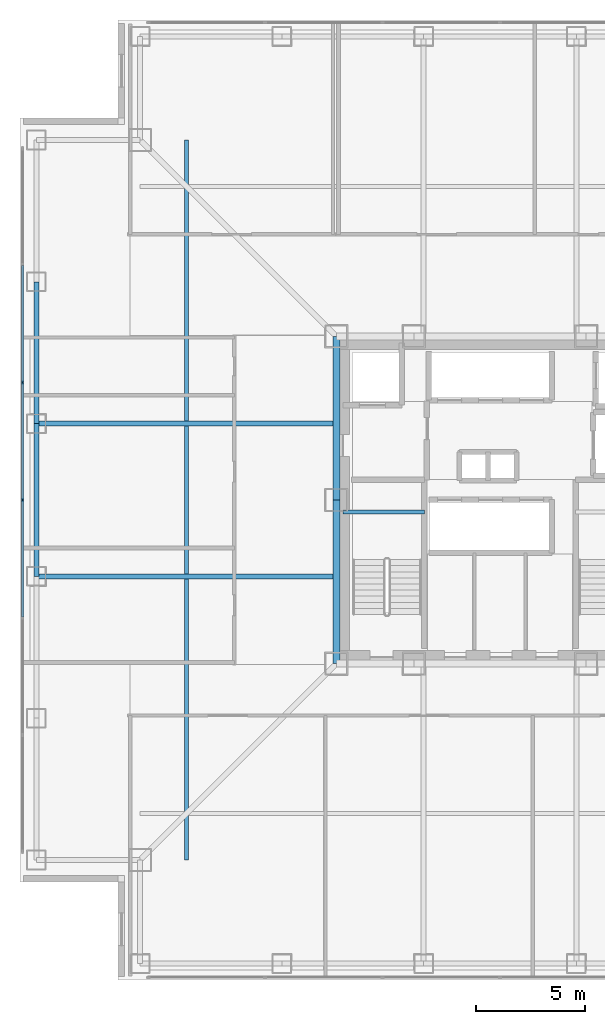
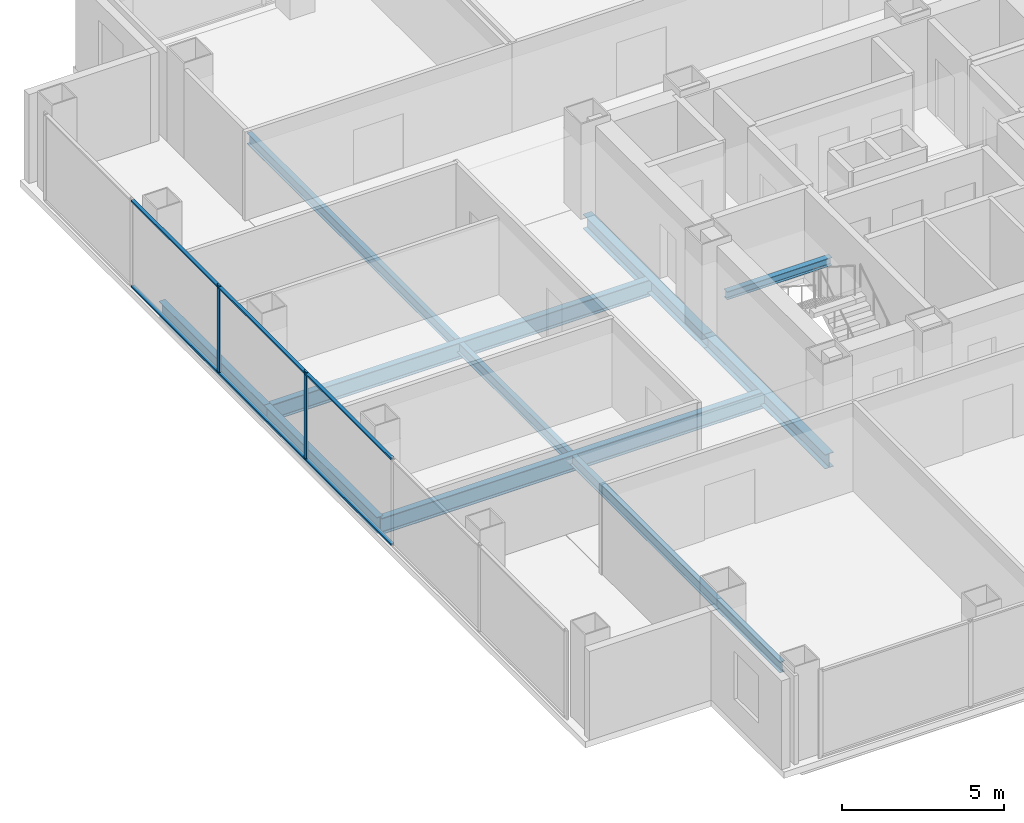
# One storey, part 5 of 17: 8 beams, 8 members, 1 element without a shape of its own.
"""IFC4 building model written with IfcOpenShell, lengths in metres."""

import ifcopenshell
import ifcopenshell.guid

model = None  # the IFC model being written
_history = None  # IfcOwnerHistory: only IFC2X3 demands one
_inside = {}  # id of a spatial element -> (the spatial element, [elements in it])
_under = {}  # id of a project, library or spatial element -> (it, [spatial elements below it])
_declared = {}  # id of a project -> (the project, [libraries it declares])
_typed = {}  # id of a type object -> (the type object, [elements of that type])
_made_of = {}  # id of a material, layer set ... -> (it, [elements and type objects made of it])


def new_model(schema):
    """Start an empty IFC model of exactly this schema.

    Asked for "IFC4X3", IfcOpenShell would pick the latest addendum, in which some entities
    have other attributes; the version numbers below select the first issue.
    IFC2X3 requires an IfcOwnerHistory on every rooted entity: one is made here for all.
    """
    global model, _history
    if schema == "IFC4X3":
        model = ifcopenshell.file(schema_version=(4, 3, 0, 0))
    else:
        model = ifcopenshell.file(schema=schema)
    _inside.clear()
    _under.clear()
    _declared.clear()
    _typed.clear()
    _made_of.clear()
    _history = None
    if model.schema == "IFC2X3":
        org = make("IfcOrganization", Name="unknown")
        user = make(
            "IfcPersonAndOrganization",
            ThePerson=make("IfcPerson", FamilyName="unknown"),
            TheOrganization=org,
        )
        app = make(
            "IfcApplication",
            ApplicationDeveloper=org,
            Version="unknown",
            ApplicationFullName="unknown",
            ApplicationIdentifier="unknown",
        )
        _history = make(
            "IfcOwnerHistory",
            OwningUser=user,
            OwningApplication=app,
            ChangeAction="ADDED",
            CreationDate=0,
        )
    return model


def make(cls, **values):
    """One entity of the class cls with the attributes given. An attribute that is None is left unset."""
    return model.create_entity(
        cls, **{name: value for name, value in values.items() if value is not None}
    )


def rooted(cls, **values):
    """An entity with a GlobalId (a new one), such as an element, a storey or a relation."""
    return make(cls, GlobalId=ifcopenshell.guid.new(), OwnerHistory=_history, **values)


def si_unit(unit_type, name, prefix=None):
    """IfcSIUnit, for example si_unit("LENGTHUNIT", "METRE", prefix="MILLI")."""
    return make("IfcSIUnit", UnitType=unit_type, Prefix=prefix, Name=name)


def assignment(units):
    """IfcUnitAssignment: the units of a project."""
    return None if units is None else make("IfcUnitAssignment", Units=units)


def point(xyz):
    """IfcCartesianPoint."""
    return None if xyz is None else make("IfcCartesianPoint", Coordinates=xyz)


def direction(xyz):
    """IfcDirection."""
    return None if xyz is None else make("IfcDirection", DirectionRatios=xyz)


def frame(location, z_axis=None, x_axis=None):
    """IfcAxis2Placement3D, a coordinate frame: its origin and axes. An axis left out is left unset."""
    return make(
        "IfcAxis2Placement3D",
        Location=point(location),
        Axis=direction(z_axis),
        RefDirection=direction(x_axis),
    )


def frame_2d(location, x_axis=None):
    """IfcAxis2Placement2D, a coordinate frame in the plane: its origin and x axis."""
    return make(
        "IfcAxis2Placement2D", Location=point(location), RefDirection=direction(x_axis)
    )


def origin():
    """The frame at (0, 0, 0) with its axes left unset."""
    return frame((0.0, 0.0, 0.0))


def origin_2d():
    """The frame at (0, 0) in the plane with its x axis left unset."""
    return frame_2d((0.0, 0.0))


def place(relative_to, where):
    """IfcLocalPlacement: puts the frame where relative to a parent placement (None: the world)."""
    return make(
        "IfcLocalPlacement", PlacementRelTo=relative_to, RelativePlacement=where
    )


def context(
    kind, dimensions, precision=None, world=None, true_north=None, identifier=None
):
    """IfcGeometricRepresentationContext, for example the 3D "Model" context."""
    return make(
        "IfcGeometricRepresentationContext",
        ContextIdentifier=identifier,
        ContextType=kind,
        CoordinateSpaceDimension=dimensions,
        Precision=precision,
        WorldCoordinateSystem=world,
        TrueNorth=true_north,
    )


def subcontext(parent, identifier, kind, view, scale=None):
    """IfcGeometricRepresentationSubContext, for example "Body" below "Model"."""
    return make(
        "IfcGeometricRepresentationSubContext",
        ContextIdentifier=identifier,
        ContextType=kind,
        ParentContext=parent,
        TargetScale=scale,
        TargetView=view,
    )


def project(units=None, contexts=None):
    """IfcProject with its units and contexts."""
    return rooted(
        "IfcProject",
        Name="project",
        RepresentationContexts=contexts,
        UnitsInContext=assignment(units),
    )


def spatial(cls, under=None, at=None, **own):
    """A site, building, storey or space (cls), placed at a placement, below another one or the project."""
    s = rooted(cls, ObjectPlacement=at, **own)
    if under is not None:
        _under.setdefault(under.id(), (under, []))[1].append(s)
    return s


def profile(cls, at=None, kind="AREA", **sizes):
    """A parametric profile (cls). Its sizes go by their IFC names, for example OverallWidth=200.0."""
    return make(cls, ProfileType=kind, Position=at, **sizes)


def rectangle(**sizes):
    """IfcRectangleProfileDef."""
    return profile("IfcRectangleProfileDef", **sizes)


def i_section(**sizes):
    """IfcIShapeProfileDef."""
    return profile("IfcIShapeProfileDef", **sizes)


def extrude(swept, where, along, depth):
    """IfcExtrudedAreaSolid: the profile swept, set in the frame where, extruded along a direction by depth."""
    return make(
        "IfcExtrudedAreaSolid",
        SweptArea=swept,
        Position=where,
        ExtrudedDirection=direction(along),
        Depth=depth,
    )


def shape(context_of_items, identifier, shape_type, items):
    """IfcShapeRepresentation: the items that make up one representation, for example the "Body"."""
    return make(
        "IfcShapeRepresentation",
        ContextOfItems=context_of_items,
        RepresentationIdentifier=identifier,
        RepresentationType=shape_type,
        Items=items,
    )


def material(Name=None, Category=None):
    """IfcMaterial."""
    return make("IfcMaterial", Name=Name, Category=Category)


def layer(
    of_material, thickness, ventilated=None, Name=None, Category=None, Priority=None
):
    """IfcMaterialLayer: one layer of a wall or slab, of a material (None: an air gap)."""
    return make(
        "IfcMaterialLayer",
        Material=of_material,
        LayerThickness=thickness,
        IsVentilated=ventilated,
        Name=Name,
        Category=Category,
        Priority=Priority,
    )


def layer_set(layers, Name=None):
    """IfcMaterialLayerSet."""
    return make("IfcMaterialLayerSet", MaterialLayers=layers, LayerSetName=Name)


def material_profile(
    of_material, cross_section, Name=None, Category=None, Priority=None
):
    """IfcMaterialProfile: a cross section and its material."""
    return make(
        "IfcMaterialProfile",
        Name=Name,
        Material=of_material,
        Profile=cross_section,
        Priority=Priority,
        Category=Category,
    )


def profile_set(profiles, Name=None, composite=None):
    """IfcMaterialProfileSet."""
    return make(
        "IfcMaterialProfileSet",
        Name=Name,
        MaterialProfiles=profiles,
        CompositeProfile=composite,
    )


def made_of(thing, what):
    """Note that an element or type object is made of a material, layer set ...; save() writes the relation."""
    if what is not None:
        _made_of.setdefault(what.id(), (what, []))[1].append(thing)
    return thing


def type_object(cls, material=None, **own):
    """A type object (cls), such as IfcWallType, which elements share."""
    return made_of(rooted(cls, **own), material)


def element(
    cls,
    number,
    at=None,
    inside=None,
    cuts=None,
    type_object=None,
    material=None,
    context=None,
    identifier="Body",
    shape_type=None,
    held_by="IfcProductDefinitionShape",
    body=None,
    shapes=None,
    **own,
):
    """One element of the class cls, such as IfcWall. Its Tag is "e" and its number.

    at: its placement. inside: the storey or other place that contains it. cuts: it is an
    opening in that element (IfcRelVoidsElement). A single representation is given by context,
    identifier, shape_type and body (its items); several are given by shapes. held_by: the class
    of the entity that holds the representations. save() writes the other relations.
    """
    e = rooted(cls, Tag="e%d" % number, ObjectPlacement=at, **own)
    if body is not None:
        shapes = [shape(context, identifier, shape_type, body)]
    if shapes is not None:
        e.Representation = make(held_by, Representations=shapes)
    if inside is not None:
        _inside.setdefault(inside.id(), (inside, []))[1].append(e)
    if cuts is not None:
        rooted(
            "IfcRelVoidsElement", RelatingBuildingElement=cuts, RelatedOpeningElement=e
        )
    if type_object is not None:
        _typed.setdefault(type_object.id(), (type_object, []))[1].append(e)
    return made_of(e, material)


def aggregate(whole, parts):
    """IfcRelAggregates: a whole, such as a stair, and the parts it consists of."""
    return rooted("IfcRelAggregates", RelatingObject=whole, RelatedObjects=parts)


def save(model, path):
    """Write the relations noted so far, then the file.

    IfcRelAggregates (storeys below a building ...), IfcRelContainedInSpatialStructure (elements
    in a storey), IfcRelDefinesByType, IfcRelAssociatesMaterial and IfcRelDeclares: one each for
    every whole, place, type object, material and project.
    """
    for whole, parts in _under.values():
        aggregate(whole, parts)
    for where, things in _inside.values():
        rooted(
            "IfcRelContainedInSpatialStructure",
            RelatedElements=things,
            RelatingStructure=where,
        )
    for kind, things in _typed.values():
        rooted("IfcRelDefinesByType", RelatedObjects=things, RelatingType=kind)
    for what, things in _made_of.values():
        rooted("IfcRelAssociatesMaterial", RelatedObjects=things, RelatingMaterial=what)
    for by, libraries in _declared.values():
        rooted("IfcRelDeclares", RelatingContext=by, RelatedDefinitions=libraries)
    model.write(path)


model = new_model("IFC4")

# Units and contexts
model_context = context("Model", 3, precision=1e-05, world=origin(), true_north=direction((0.0, 1.0)))
body_context = subcontext(model_context, "Body", "Model", "MODEL_VIEW")
ifc_project = project(units=[si_unit("LENGTHUNIT", "METRE"), si_unit("AREAUNIT", "SQUARE_METRE"), si_unit("VOLUMEUNIT", "CUBIC_METRE"), si_unit("PLANEANGLEUNIT", "RADIAN"), si_unit("MASSUNIT", "GRAM", prefix="KILO")], contexts=[model_context])

# Site, building, storey
site_placement = place(None, origin())
site = spatial("IfcSite", under=ifc_project, at=site_placement, CompositionType="ELEMENT")
building_placement = place(site_placement, origin())
building = spatial("IfcBuilding", under=site, at=building_placement, Name="Trevonay Congress Spire", CompositionType="ELEMENT")
storey_placement = place(building_placement, frame((0.0, 0.0, 130.0)))
storey = spatial("IfcBuildingStorey", under=building, at=storey_placement, Name="L33", CompositionType="ELEMENT", Elevation=130.0)

# Beams
ifc_material_1 = material(Name="Steel ASTM A572 Grade 50", Category="steel")
ifc_material_profile_1 = material_profile(ifc_material_1, i_section(OverallWidth=0.31201171875, OverallDepth=0.54296875, WebThickness=0.0126953125, FlangeThickness=0.020263671875, FilletRadius=0.014892578125, at=origin_2d()), Name="W530x150")
ifc_profile_set_1 = profile_set([ifc_material_profile_1], Name="Steel ASTM A572 Grade 50")
beam_type_1 = type_object("IfcBeamType", Name="BM-GIRD-W530X150", PredefinedType="BEAM", material=ifc_profile_set_1)
for number, where, z_axis, x_axis, name in (
    (1, (-7.5, -7.5, -0.511474609375), (0.0, 1.0, 0.0), (-1.0, 0.0, 0.0), "L33 structural beam BM-L33-CR-W1"),
    (2, (-7.5, 0.0, -0.511474609375), (0.0, 1.0, 0.0), (-1.0, 0.0, 0.0), "L33 structural beam BM-L33-CR-W2"),
):
    element("IfcBeam", number, at=place(storey_placement, frame(where, z_axis=z_axis, x_axis=x_axis)), inside=storey, type_object=beam_type_1, Name=name, PredefinedType="BEAM", context=body_context, shape_type="SweptSolid", body=[
        extrude(i_section(OverallWidth=0.31201171875, OverallDepth=0.54296875, WebThickness=0.0126953125, FlangeThickness=0.020263671875, FilletRadius=0.014892578125, at=origin_2d()), origin(), (0.0, 0.0, 1.0), 7.5),
    ])
ifc_material_profile_2 = material_profile(ifc_material_1, i_section(OverallWidth=0.22998046875, OverallDepth=0.616943359375, WebThickness=0.01318359375, FlangeThickness=0.022216796875, FilletRadius=0.01611328125, at=origin_2d()), Name="W610x140")
ifc_profile_set_2 = profile_set([ifc_material_profile_2], Name="Steel ASTM A572 Grade 50")
beam_type_2 = type_object("IfcBeamType", Name="BM-GIRD-W610X140", PredefinedType="BEAM", material=ifc_profile_set_2)
for number, where, z_axis, x_axis, name in (
    (3, (-7.5, -3.5, -0.548583984375), (-1.0, 0.0, 0.0), (0.0, -1.0, 0.0), "L33 structural beam BM-L33-GW-M"),
    (4, (-7.5, 3.5, -0.548583984375), (-1.0, 0.0, 0.0), (0.0, -1.0, 0.0), "L33 structural beam BM-L33-GW-P"),
):
    element("IfcBeam", number, at=place(storey_placement, frame(where, z_axis=z_axis, x_axis=x_axis)), inside=storey, type_object=beam_type_2, Name=name, PredefinedType="BEAM", context=body_context, shape_type="SweptSolid", body=[
        extrude(i_section(OverallWidth=0.22998046875, OverallDepth=0.616943359375, WebThickness=0.01318359375, FlangeThickness=0.022216796875, FilletRadius=0.01611328125, at=origin_2d()), origin(), (0.0, 0.0, 1.0), 13.75),
    ])
ifc_material_profile_3 = material_profile(ifc_material_1, i_section(OverallWidth=0.22802734375, OverallDepth=0.60791015625, WebThickness=0.01123046875, FlangeThickness=0.017333984375, FilletRadius=0.01611328125, at=origin_2d()), Name="W610x113")
ifc_profile_set_3 = profile_set([ifc_material_profile_3], Name="Steel ASTM A572 Grade 50")
beam_type_3 = type_object("IfcBeamType", Name="BM-RING-W610X113", PredefinedType="BEAM", material=ifc_profile_set_3)
beam_1_placement = place(storey_placement, frame((-21.25, -3.5, -0.5439453125), z_axis=(0.0, 1.0, 0.0), x_axis=(-1.0, 0.0, 0.0)))
element("IfcBeam", 5, at=beam_1_placement, inside=storey, type_object=beam_type_3, Name="L33 structural beam BM-L33-PW3", PredefinedType="BEAM", context=body_context, shape_type="SweptSolid", body=[
    extrude(i_section(OverallWidth=0.22802734375, OverallDepth=0.60791015625, WebThickness=0.01123046875, FlangeThickness=0.017333984375, FilletRadius=0.01611328125, at=origin_2d()), origin(), (0.0, 0.0, 1.0), 7.0),
])
beam_2_placement = place(storey_placement, frame((-21.25, 3.5, -0.5439453125), z_axis=(0.0, 1.0, 0.0), x_axis=(-1.0, 0.0, 0.0)))
element("IfcBeam", 6, at=beam_2_placement, inside=storey, type_object=beam_type_3, Name="L33 structural beam BM-L33-PW4", PredefinedType="BEAM", context=body_context, shape_type="SweptSolid", body=[
    extrude(i_section(OverallWidth=0.22802734375, OverallDepth=0.60791015625, WebThickness=0.01123046875, FlangeThickness=0.017333984375, FilletRadius=0.01611328125, at=origin_2d()), origin(), (0.0, 0.0, 1.0), 6.5),
])

# Curtain wall, members
ifc_material_2 = material(Name="Pale Anodised Aluminium EN AW-6063-T6", Category="aluminium")
ifc_layer = layer(ifc_material_2, 0.175048828125, Name="Pale Anodised Aluminium EN AW-6063-T6")
ifc_layer_set = layer_set([ifc_layer], Name="Pale Anodised Aluminium EN AW-6063-T6")
curtain_wall_type = type_object("IfcCurtainWallType", Name="CW-SYS03-CONGRESS-PALE-METAL", PredefinedType="NOTDEFINED", material=ifc_layer_set)
curtain_wall_placement = place(storey_placement, origin())
curtain_wall = element("IfcCurtainWall", 7, at=curtain_wall_placement, inside=storey, type_object=curtain_wall_type, Name="L33 W unitised curtain wall", PredefinedType="NOTDEFINED")
ifc_material_profile_4 = material_profile(ifc_material_2, rectangle(XDim=0.06005859375, YDim=0.159912109375, at=origin_2d()), Name="CW-MULLION-160-ALUMINIUM")
ifc_profile_set_4 = profile_set([ifc_material_profile_4], Name="Pale Anodised Aluminium EN AW-6063-T6")
member_type_1 = type_object("IfcMemberType", Name="CW-MULLION-160-ALUMINIUM", PredefinedType="MULLION", material=ifc_profile_set_4)
member_1_placement = place(storey_placement, frame((-21.8798828125, 0.0, 0.0), z_axis=(0.0, 0.0, 1.0), x_axis=(-1.0, 0.0, 0.0)))
member_1 = element("IfcMember", 8, at=member_1_placement, type_object=member_type_1, Name="CW03 mullion 4", PredefinedType="MULLION", context=body_context, shape_type="SweptSolid", body=[
    extrude(rectangle(XDim=0.06005859375, YDim=0.159912109375, at=origin_2d()), origin(), (0.0, 0.0, 1.0), 3.360107421875),
])
member_2_placement = place(storey_placement, frame((-21.8798828125, 5.38330078125, 0.0), z_axis=(0.0, 0.0, 1.0), x_axis=(-1.0, 0.0, 0.0)))
member_2 = element("IfcMember", 9, at=member_2_placement, type_object=member_type_1, Name="CW03 mullion 5", PredefinedType="MULLION", context=body_context, shape_type="SweptSolid", body=[
    extrude(rectangle(XDim=0.06005859375, YDim=0.159912109375, at=origin_2d()), origin(), (0.0, 0.0, 1.0), 3.360107421875),
])
ifc_material_profile_5 = material_profile(ifc_material_2, rectangle(XDim=0.1201171875, YDim=0.06005859375, at=origin_2d()), Name="CW-TRANSOM-120-ALUMINIUM")
ifc_profile_set_5 = profile_set([ifc_material_profile_5], Name="Pale Anodised Aluminium EN AW-6063-T6")
member_type_2 = type_object("IfcMemberType", Name="CW-TRANSOM-120-ALUMINIUM", PredefinedType="USERDEFINED", material=ifc_profile_set_5)
member_3_placement = place(storey_placement, frame((-21.8798828125, -5.353271484375, 0.06005859375), z_axis=(0.0, 1.0, 0.0), x_axis=(-1.0, 0.0, 0.0)))
member_3 = element("IfcMember", 10, at=member_3_placement, type_object=member_type_2, Name="CW03 transom 3.1", ObjectType="TRANSOM", PredefinedType="USERDEFINED", context=body_context, shape_type="SweptSolid", body=[
    extrude(rectangle(XDim=0.1201171875, YDim=0.06005859375, at=origin_2d()), origin(), (0.0, 0.0, 1.0), 5.3232421875),
])
member_4_placement = place(storey_placement, frame((-21.8798828125, -5.353271484375, 3.300048828125), z_axis=(0.0, 1.0, 0.0), x_axis=(-1.0, 0.0, 0.0)))
member_4 = element("IfcMember", 11, at=member_4_placement, type_object=member_type_2, Name="CW03 transom 3.2", ObjectType="TRANSOM", PredefinedType="USERDEFINED", context=body_context, shape_type="SweptSolid", body=[
    extrude(rectangle(XDim=0.1201171875, YDim=0.06005859375, at=origin_2d()), origin(), (0.0, 0.0, 1.0), 5.3232421875),
])
member_5_placement = place(storey_placement, frame((-21.8798828125, 0.030029296875, 0.06005859375), z_axis=(0.0, 1.0, 0.0), x_axis=(-1.0, 0.0, 0.0)))
member_5 = element("IfcMember", 12, at=member_5_placement, type_object=member_type_2, Name="CW03 transom 4.1", ObjectType="TRANSOM", PredefinedType="USERDEFINED", context=body_context, shape_type="SweptSolid", body=[
    extrude(rectangle(XDim=0.1201171875, YDim=0.06005859375, at=origin_2d()), origin(), (0.0, 0.0, 1.0), 5.3232421875),
])
member_6_placement = place(storey_placement, frame((-21.8798828125, 0.030029296875, 3.300048828125), z_axis=(0.0, 1.0, 0.0), x_axis=(-1.0, 0.0, 0.0)))
member_6 = element("IfcMember", 13, at=member_6_placement, type_object=member_type_2, Name="CW03 transom 4.2", ObjectType="TRANSOM", PredefinedType="USERDEFINED", context=body_context, shape_type="SweptSolid", body=[
    extrude(rectangle(XDim=0.1201171875, YDim=0.06005859375, at=origin_2d()), origin(), (0.0, 0.0, 1.0), 5.3232421875),
])
member_7_placement = place(storey_placement, frame((-21.8798828125, 5.413330078125, 0.06005859375), z_axis=(0.0, 1.0, 0.0), x_axis=(-1.0, 0.0, 0.0)))
member_7 = element("IfcMember", 14, at=member_7_placement, type_object=member_type_2, Name="CW03 transom 5.1", ObjectType="TRANSOM", PredefinedType="USERDEFINED", context=body_context, shape_type="SweptSolid", body=[
    extrude(rectangle(XDim=0.1201171875, YDim=0.06005859375, at=origin_2d()), origin(), (0.0, 0.0, 1.0), 5.3232421875),
])
member_8_placement = place(storey_placement, frame((-21.8798828125, 5.413330078125, 3.300048828125), z_axis=(0.0, 1.0, 0.0), x_axis=(-1.0, 0.0, 0.0)))
member_8 = element("IfcMember", 15, at=member_8_placement, type_object=member_type_2, Name="CW03 transom 5.2", ObjectType="TRANSOM", PredefinedType="USERDEFINED", context=body_context, shape_type="SweptSolid", body=[
    extrude(rectangle(XDim=0.1201171875, YDim=0.06005859375, at=origin_2d()), origin(), (0.0, 0.0, 1.0), 5.3232421875),
])
aggregate(curtain_wall, [member_1, member_2, member_3, member_4, member_5, member_6, member_7, member_8])

# Beams
ifc_material_profile_6 = material_profile(ifc_material_1, i_section(OverallWidth=0.177978515625, OverallDepth=0.406982421875, WebThickness=0.0078125, FlangeThickness=0.0126953125, FilletRadius=0.012939453125, at=origin_2d()), Name="W410x60")
ifc_profile_set_6 = profile_set([ifc_material_profile_6], Name="Steel ASTM A572 Grade 50")
beam_type_4 = type_object("IfcBeamType", Name="JS-COMP-W410X60", PredefinedType="JOIST", material=ifc_profile_set_6)
beam_3_placement = place(storey_placement, frame((-14.375, -16.5, -0.443603515625), z_axis=(0.0, 1.0, 0.0), x_axis=(-1.0, 0.0, 0.0)))
element("IfcBeam", 16, at=beam_3_placement, inside=storey, type_object=beam_type_4, Name="L33 structural beam JS-L33-RING-W", PredefinedType="JOIST", context=body_context, shape_type="SweptSolid", body=[
    extrude(i_section(OverallWidth=0.177978515625, OverallDepth=0.406982421875, WebThickness=0.0078125, FlangeThickness=0.0126953125, FilletRadius=0.012939453125, at=origin_2d()), origin(), (0.0, 0.0, 1.0), 33.0),
])
ifc_material_profile_7 = material_profile(ifc_material_1, i_section(OverallWidth=0.2041015625, OverallDepth=0.305908203125, WebThickness=0.008544921875, FlangeThickness=0.0146484375, FilletRadius=0.010986328125, at=origin_2d()), Name="W310x67")
ifc_profile_set_7 = profile_set([ifc_material_profile_7], Name="Steel ASTM A572 Grade 50")
beam_type_5 = type_object("IfcBeamType", Name="LN-CORE-W310X67", PredefinedType="LINTEL", material=ifc_profile_set_7)
beam_4_placement = place(storey_placement, frame((-7.199951171875, -0.550048828125, 1.447021484375), z_axis=(1.0, 0.0, 0.0), x_axis=(0.0, 1.0, 0.0)))
element("IfcBeam", 17, at=beam_4_placement, inside=storey, type_object=beam_type_5, Name="L33 structural beam BM-L33-HL-ST1", PredefinedType="LINTEL", context=body_context, shape_type="SweptSolid", body=[
    extrude(i_section(OverallWidth=0.2041015625, OverallDepth=0.305908203125, WebThickness=0.008544921875, FlangeThickness=0.0146484375, FilletRadius=0.010986328125, at=origin_2d()), origin(), (0.0, 0.0, 1.0), 3.75),
])

save(model, "model.ifc")
